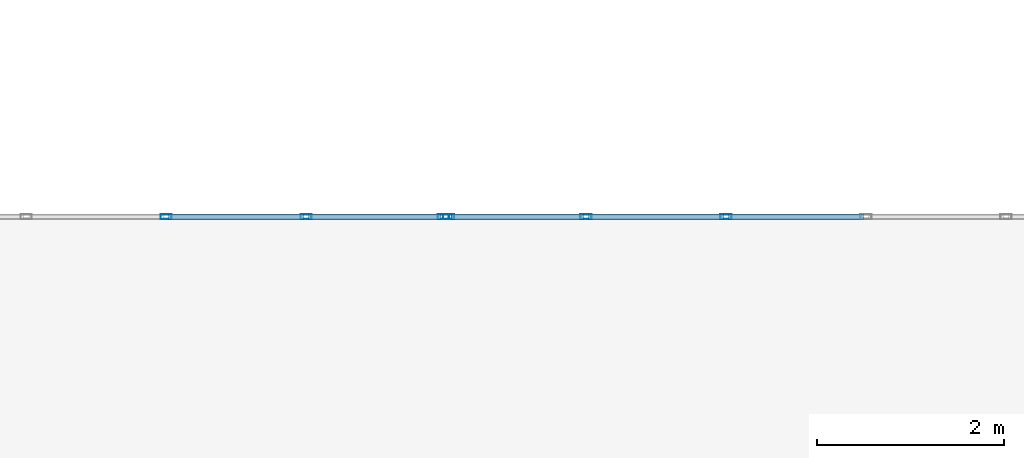
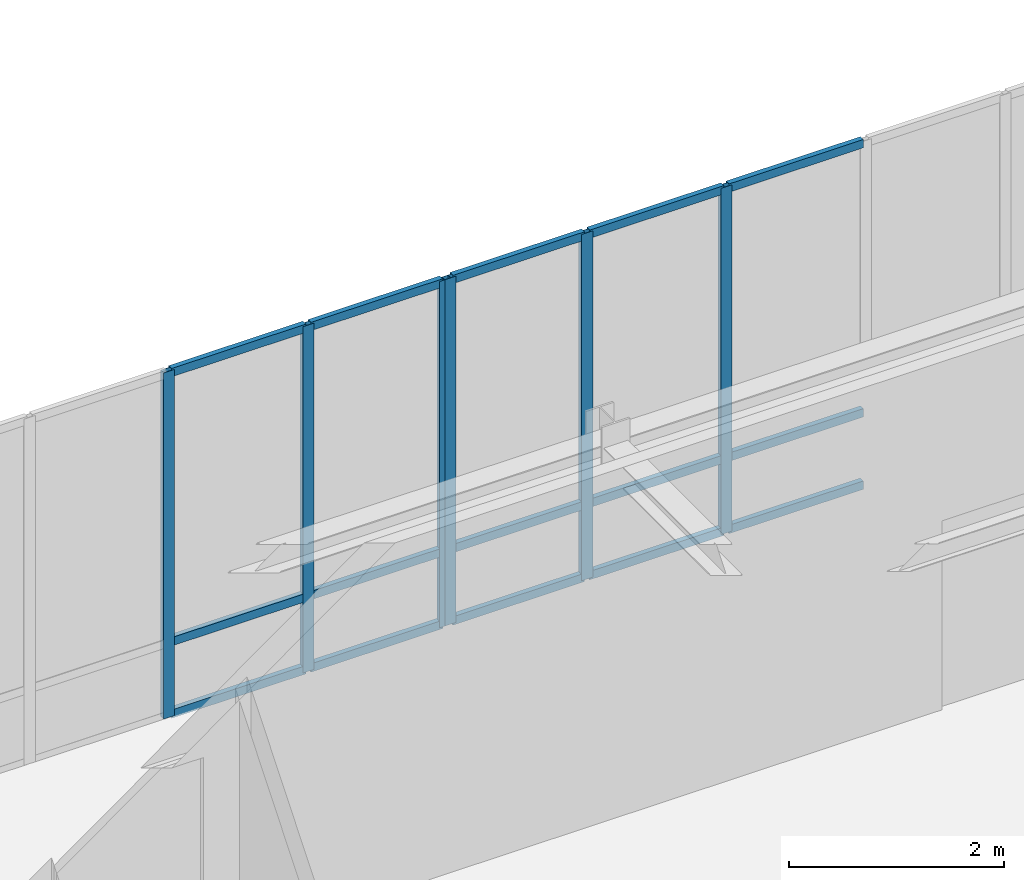
# One storey, part 15 of 36: 21 members, 2 elements without a shape of their own.
"""IFC4 building model written with IfcOpenShell, lengths in metres."""

from ifc_helpers import new_model, si_unit, direction, frame, origin, origin_2d, place, context, subcontext, project, spatial, hollow_rectangle, extrude, material, material_profile, profile_set, type_object, element, aggregate, save


model = new_model("IFC4")

# Units and contexts
model_context = context("Model", 3, precision=1e-05, world=origin(), true_north=direction((0.0, 1.0)))
body_context = subcontext(model_context, "Body", "Model", "MODEL_VIEW")
ifc_project = project(units=[si_unit("LENGTHUNIT", "METRE"), si_unit("AREAUNIT", "SQUARE_METRE"), si_unit("VOLUMEUNIT", "CUBIC_METRE"), si_unit("PLANEANGLEUNIT", "RADIAN"), si_unit("MASSUNIT", "GRAM", prefix="KILO")], contexts=[model_context])

# Site, building, storey
site_placement = place(None, origin())
site = spatial("IfcSite", under=ifc_project, at=site_placement, CompositionType="ELEMENT")
building_placement = place(site_placement, origin())
building = spatial("IfcBuilding", under=site, at=building_placement, Name="Lykobir Media Centre", CompositionType="ELEMENT")
storey_placement = place(building_placement, frame((0.0, 0.0, 27.60009765625)))
storey = spatial("IfcBuildingStorey", under=building, at=storey_placement, Name="L06", CompositionType="ELEMENT", Elevation=27.60009765625)

# Curtain wall, members
ifc_material = material(Name="Anodized Aluminium AW-6060", Category="aluminium")
curtain_wall_type = type_object("IfcCurtainWallType", Name="CW-COURT-B", PredefinedType="NOTDEFINED", material=ifc_material)
curtain_wall_1_placement = place(storey_placement, origin())
curtain_wall_1 = element("IfcCurtainWall", 1, at=curtain_wall_1_placement, inside=storey, type_object=curtain_wall_type, Name="Curtain wall CW2-L06-0207", PredefinedType="NOTDEFINED")
ifc_material_profile_1 = material_profile(ifc_material, hollow_rectangle(XDim=0.054931640625, YDim=0.1201171875, WallThickness=0.003173828125, at=origin_2d()), Name="ALU MULLION 55x120")
ifc_profile_set_1 = profile_set([ifc_material_profile_1], Name="Anodized Aluminium AW-6060")
member_type_1 = type_object("IfcMemberType", Name="CWM-120", PredefinedType="MULLION", material=ifc_profile_set_1)
member_1_placement = place(storey_placement, frame((51.0, 21.0, 0.0), z_axis=(0.0, 0.0, 1.0), x_axis=(0.0, 1.0, 0.0)))
member_1 = element("IfcMember", 2, at=member_1_placement, type_object=member_type_1, Name="CW2-L06-0207 mullion 5", PredefinedType="MULLION", context=body_context, shape_type="SweptSolid", body=[
    extrude(hollow_rectangle(XDim=0.054931640625, YDim=0.1201171875, WallThickness=0.003173828125, at=origin_2d()), origin(), (0.0, 0.0, 1.0), 3.93994140625),
])
member_2_placement = place(storey_placement, frame((52.5, 21.0, 0.0), z_axis=(0.0, 0.0, 1.0), x_axis=(0.0, 1.0, 0.0)))
member_2 = element("IfcMember", 3, at=member_2_placement, type_object=member_type_1, Name="CW2-L06-0207 mullion 6", PredefinedType="MULLION", context=body_context, shape_type="SweptSolid", body=[
    extrude(hollow_rectangle(XDim=0.054931640625, YDim=0.1201171875, WallThickness=0.003173828125, at=origin_2d()), origin(), (0.0, 0.0, 1.0), 3.93994140625),
])
member_3_placement = place(storey_placement, frame((53.972412109375, 21.0, 0.0), z_axis=(0.0, 0.0, 1.0), x_axis=(0.0, 1.0, 0.0)))
member_3 = element("IfcMember", 4, at=member_3_placement, type_object=member_type_1, Name="CW2-L06-0207 mullion 7", PredefinedType="MULLION", context=body_context, shape_type="SweptSolid", body=[
    extrude(hollow_rectangle(XDim=0.054931640625, YDim=0.1201171875, WallThickness=0.003173828125, at=origin_2d()), origin(), (0.0, 0.0, 1.0), 3.93994140625),
])

curtain_wall_2_placement = place(storey_placement, origin())
curtain_wall_2 = element("IfcCurtainWall", 5, at=curtain_wall_2_placement, inside=storey, type_object=curtain_wall_type, Name="Curtain wall CW2-L06-0208", PredefinedType="NOTDEFINED")
member_4_placement = place(storey_placement, frame((54.027587890625, 21.0, 0.0), z_axis=(0.0, 0.0, 1.0), x_axis=(0.0, 1.0, 0.0)))
member_4 = element("IfcMember", 6, at=member_4_placement, type_object=member_type_1, Name="CW2-L06-0208 mullion 1", PredefinedType="MULLION", context=body_context, shape_type="SweptSolid", body=[
    extrude(hollow_rectangle(XDim=0.054931640625, YDim=0.1201171875, WallThickness=0.003173828125, at=origin_2d()), origin(), (0.0, 0.0, 1.0), 3.93994140625),
])
member_5_placement = place(storey_placement, frame((55.5, 21.0, 0.0), z_axis=(0.0, 0.0, 1.0), x_axis=(0.0, 1.0, 0.0)))
member_5 = element("IfcMember", 7, at=member_5_placement, type_object=member_type_1, Name="CW2-L06-0208 mullion 2", PredefinedType="MULLION", context=body_context, shape_type="SweptSolid", body=[
    extrude(hollow_rectangle(XDim=0.054931640625, YDim=0.1201171875, WallThickness=0.003173828125, at=origin_2d()), origin(), (0.0, 0.0, 1.0), 3.93994140625),
])
member_6_placement = place(storey_placement, frame((57.0, 21.0, 0.0), z_axis=(0.0, 0.0, 1.0), x_axis=(0.0, 1.0, 0.0)))
member_6 = element("IfcMember", 8, at=member_6_placement, type_object=member_type_1, Name="CW2-L06-0208 mullion 3", PredefinedType="MULLION", context=body_context, shape_type="SweptSolid", body=[
    extrude(hollow_rectangle(XDim=0.054931640625, YDim=0.1201171875, WallThickness=0.003173828125, at=origin_2d()), origin(), (0.0, 0.0, 1.0), 3.93994140625),
])

# Member
ifc_material_profile_2 = material_profile(ifc_material, hollow_rectangle(XDim=0.054931640625, YDim=0.094970703125, WallThickness=0.0029296875, at=origin_2d()), Name="ALU TRANSOM 55x95")
ifc_profile_set_2 = profile_set([ifc_material_profile_2], Name="Anodized Aluminium AW-6060")
member_type_2 = type_object("IfcMemberType", Name="CWT-095", PredefinedType="USERDEFINED", material=ifc_profile_set_2)
member_7_placement = place(storey_placement, frame((51.027587890625, 21.0, 0.02734375), z_axis=(1.0, 0.0, 0.0), x_axis=(0.0, 1.0, 0.0)))
member_7 = element("IfcMember", 9, at=member_7_placement, type_object=member_type_2, Name="CW2-L06-0207 transom 5.1", ObjectType="TRANSOM", PredefinedType="USERDEFINED", context=body_context, shape_type="SweptSolid", body=[
    extrude(hollow_rectangle(XDim=0.054931640625, YDim=0.094970703125, WallThickness=0.0029296875, at=origin_2d()), origin(), (0.0, 0.0, 1.0), 1.44482421875),
])

member_8_placement = place(storey_placement, frame((51.027587890625, 21.0, 0.849853515625), z_axis=(1.0, 0.0, 0.0), x_axis=(0.0, 1.0, 0.0)))
member_8 = element("IfcMember", 10, at=member_8_placement, type_object=member_type_2, Name="CW2-L06-0207 transom 5.2", ObjectType="TRANSOM", PredefinedType="USERDEFINED", context=body_context, shape_type="SweptSolid", body=[
    extrude(hollow_rectangle(XDim=0.054931640625, YDim=0.094970703125, WallThickness=0.0029296875, at=origin_2d()), origin(), (0.0, 0.0, 1.0), 1.44482421875),
])

member_9_placement = place(storey_placement, frame((51.027587890625, 21.0, 3.912353515625), z_axis=(1.0, 0.0, 0.0), x_axis=(0.0, 1.0, 0.0)))
member_9 = element("IfcMember", 11, at=member_9_placement, type_object=member_type_2, Name="CW2-L06-0207 transom 5.3", ObjectType="TRANSOM", PredefinedType="USERDEFINED", context=body_context, shape_type="SweptSolid", body=[
    extrude(hollow_rectangle(XDim=0.054931640625, YDim=0.094970703125, WallThickness=0.0029296875, at=origin_2d()), origin(), (0.0, 0.0, 1.0), 1.44482421875),
])

member_10_placement = place(storey_placement, frame((52.527587890625, 21.0, 0.02734375), z_axis=(1.0, 0.0, 0.0), x_axis=(0.0, 1.0, 0.0)))
member_10 = element("IfcMember", 12, at=member_10_placement, type_object=member_type_2, Name="CW2-L06-0207 transom 6.1", ObjectType="TRANSOM", PredefinedType="USERDEFINED", context=body_context, shape_type="SweptSolid", body=[
    extrude(hollow_rectangle(XDim=0.054931640625, YDim=0.094970703125, WallThickness=0.0029296875, at=origin_2d()), origin(), (0.0, 0.0, 1.0), 1.41748046875),
])

member_11_placement = place(storey_placement, frame((52.527587890625, 21.0, 0.849853515625), z_axis=(1.0, 0.0, 0.0), x_axis=(0.0, 1.0, 0.0)))
member_11 = element("IfcMember", 13, at=member_11_placement, type_object=member_type_2, Name="CW2-L06-0207 transom 6.2", ObjectType="TRANSOM", PredefinedType="USERDEFINED", context=body_context, shape_type="SweptSolid", body=[
    extrude(hollow_rectangle(XDim=0.054931640625, YDim=0.094970703125, WallThickness=0.0029296875, at=origin_2d()), origin(), (0.0, 0.0, 1.0), 1.41748046875),
])

member_12_placement = place(storey_placement, frame((52.527587890625, 21.0, 3.912353515625), z_axis=(1.0, 0.0, 0.0), x_axis=(0.0, 1.0, 0.0)))
member_12 = element("IfcMember", 14, at=member_12_placement, type_object=member_type_2, Name="CW2-L06-0207 transom 6.3", ObjectType="TRANSOM", PredefinedType="USERDEFINED", context=body_context, shape_type="SweptSolid", body=[
    extrude(hollow_rectangle(XDim=0.054931640625, YDim=0.094970703125, WallThickness=0.0029296875, at=origin_2d()), origin(), (0.0, 0.0, 1.0), 1.41748046875),
])

aggregate(curtain_wall_1, [member_1, member_2, member_3, member_7, member_8, member_9, member_10, member_11, member_12])

member_13_placement = place(storey_placement, frame((54.054931640625, 21.0, 0.02734375), z_axis=(1.0, 0.0, 0.0), x_axis=(0.0, 1.0, 0.0)))
member_13 = element("IfcMember", 15, at=member_13_placement, type_object=member_type_2, Name="CW2-L06-0208 transom 1.1", ObjectType="TRANSOM", PredefinedType="USERDEFINED", context=body_context, shape_type="SweptSolid", body=[
    extrude(hollow_rectangle(XDim=0.054931640625, YDim=0.094970703125, WallThickness=0.0029296875, at=origin_2d()), origin(), (0.0, 0.0, 1.0), 1.41748046875),
])

member_14_placement = place(storey_placement, frame((54.054931640625, 21.0, 0.849853515625), z_axis=(1.0, 0.0, 0.0), x_axis=(0.0, 1.0, 0.0)))
member_14 = element("IfcMember", 16, at=member_14_placement, type_object=member_type_2, Name="CW2-L06-0208 transom 1.2", ObjectType="TRANSOM", PredefinedType="USERDEFINED", context=body_context, shape_type="SweptSolid", body=[
    extrude(hollow_rectangle(XDim=0.054931640625, YDim=0.094970703125, WallThickness=0.0029296875, at=origin_2d()), origin(), (0.0, 0.0, 1.0), 1.41748046875),
])

member_15_placement = place(storey_placement, frame((54.054931640625, 21.0, 3.912353515625), z_axis=(1.0, 0.0, 0.0), x_axis=(0.0, 1.0, 0.0)))
member_15 = element("IfcMember", 17, at=member_15_placement, type_object=member_type_2, Name="CW2-L06-0208 transom 1.3", ObjectType="TRANSOM", PredefinedType="USERDEFINED", context=body_context, shape_type="SweptSolid", body=[
    extrude(hollow_rectangle(XDim=0.054931640625, YDim=0.094970703125, WallThickness=0.0029296875, at=origin_2d()), origin(), (0.0, 0.0, 1.0), 1.41748046875),
])

member_16_placement = place(storey_placement, frame((55.527587890625, 21.0, 0.02734375), z_axis=(1.0, 0.0, 0.0), x_axis=(0.0, 1.0, 0.0)))
member_16 = element("IfcMember", 18, at=member_16_placement, type_object=member_type_2, Name="CW2-L06-0208 transom 2.1", ObjectType="TRANSOM", PredefinedType="USERDEFINED", context=body_context, shape_type="SweptSolid", body=[
    extrude(hollow_rectangle(XDim=0.054931640625, YDim=0.094970703125, WallThickness=0.0029296875, at=origin_2d()), origin(), (0.0, 0.0, 1.0), 1.44482421875),
])

member_17_placement = place(storey_placement, frame((55.527587890625, 21.0, 0.849853515625), z_axis=(1.0, 0.0, 0.0), x_axis=(0.0, 1.0, 0.0)))
member_17 = element("IfcMember", 19, at=member_17_placement, type_object=member_type_2, Name="CW2-L06-0208 transom 2.2", ObjectType="TRANSOM", PredefinedType="USERDEFINED", context=body_context, shape_type="SweptSolid", body=[
    extrude(hollow_rectangle(XDim=0.054931640625, YDim=0.094970703125, WallThickness=0.0029296875, at=origin_2d()), origin(), (0.0, 0.0, 1.0), 1.44482421875),
])

member_18_placement = place(storey_placement, frame((55.527587890625, 21.0, 3.912353515625), z_axis=(1.0, 0.0, 0.0), x_axis=(0.0, 1.0, 0.0)))
member_18 = element("IfcMember", 20, at=member_18_placement, type_object=member_type_2, Name="CW2-L06-0208 transom 2.3", ObjectType="TRANSOM", PredefinedType="USERDEFINED", context=body_context, shape_type="SweptSolid", body=[
    extrude(hollow_rectangle(XDim=0.054931640625, YDim=0.094970703125, WallThickness=0.0029296875, at=origin_2d()), origin(), (0.0, 0.0, 1.0), 1.44482421875),
])

member_19_placement = place(storey_placement, frame((57.027587890625, 21.0, 0.02734375), z_axis=(1.0, 0.0, 0.0), x_axis=(0.0, 1.0, 0.0)))
member_19 = element("IfcMember", 21, at=member_19_placement, type_object=member_type_2, Name="CW2-L06-0208 transom 3.1", ObjectType="TRANSOM", PredefinedType="USERDEFINED", context=body_context, shape_type="SweptSolid", body=[
    extrude(hollow_rectangle(XDim=0.054931640625, YDim=0.094970703125, WallThickness=0.0029296875, at=origin_2d()), origin(), (0.0, 0.0, 1.0), 1.44482421875),
])

member_20_placement = place(storey_placement, frame((57.027587890625, 21.0, 0.849853515625), z_axis=(1.0, 0.0, 0.0), x_axis=(0.0, 1.0, 0.0)))
member_20 = element("IfcMember", 22, at=member_20_placement, type_object=member_type_2, Name="CW2-L06-0208 transom 3.2", ObjectType="TRANSOM", PredefinedType="USERDEFINED", context=body_context, shape_type="SweptSolid", body=[
    extrude(hollow_rectangle(XDim=0.054931640625, YDim=0.094970703125, WallThickness=0.0029296875, at=origin_2d()), origin(), (0.0, 0.0, 1.0), 1.44482421875),
])

member_21_placement = place(storey_placement, frame((57.027587890625, 21.0, 3.912353515625), z_axis=(1.0, 0.0, 0.0), x_axis=(0.0, 1.0, 0.0)))
member_21 = element("IfcMember", 23, at=member_21_placement, type_object=member_type_2, Name="CW2-L06-0208 transom 3.3", ObjectType="TRANSOM", PredefinedType="USERDEFINED", context=body_context, shape_type="SweptSolid", body=[
    extrude(hollow_rectangle(XDim=0.054931640625, YDim=0.094970703125, WallThickness=0.0029296875, at=origin_2d()), origin(), (0.0, 0.0, 1.0), 1.44482421875),
])

aggregate(curtain_wall_2, [member_4, member_5, member_6, member_13, member_14, member_15, member_16, member_17, member_18, member_19, member_20, member_21])

save(model, "model.ifc")
